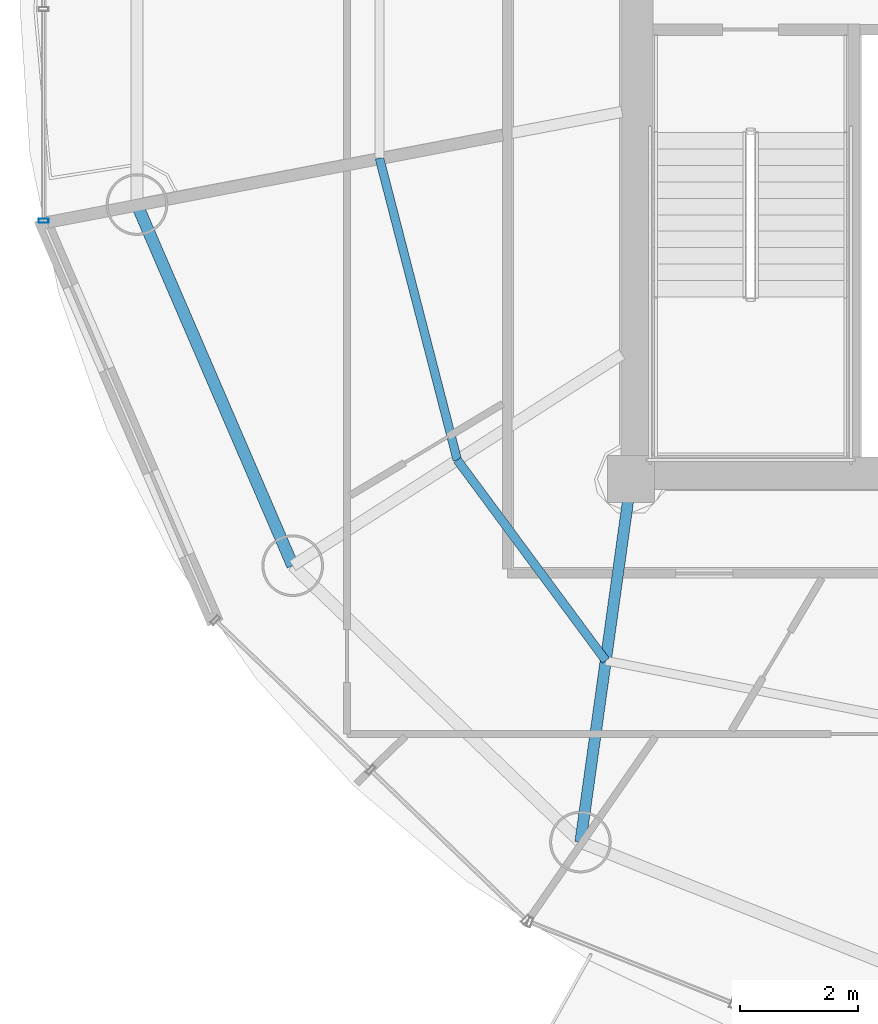
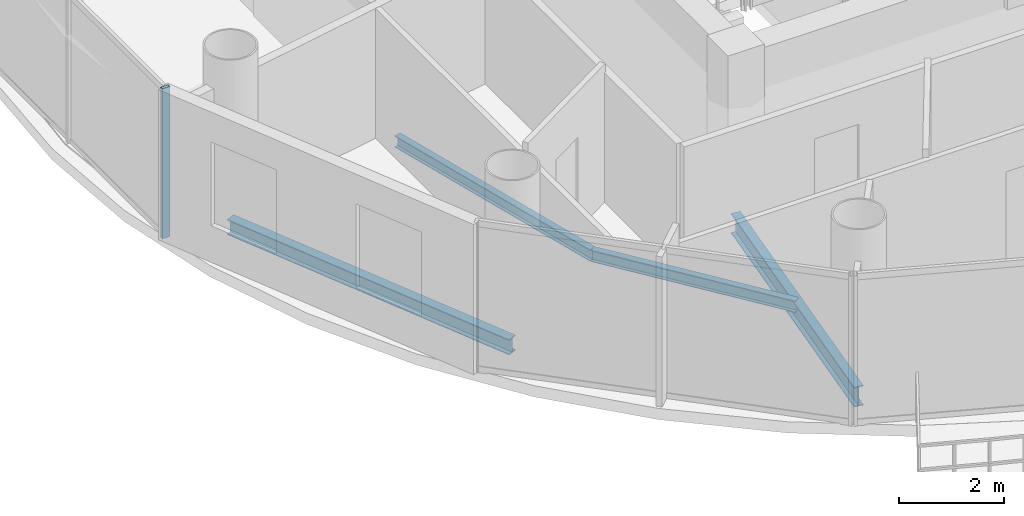
# One storey, part 4 of 23: 4 beams, 1 member, 1 element without a shape of its own.
"""IFC4 building model written with IfcOpenShell, lengths in metres."""

from ifc_helpers import new_model, si_unit, direction, frame, origin, origin_2d, place, context, subcontext, project, spatial, hollow_rectangle, i_section, extrude, source, transform, mapped, material, material_profile, profile_set, type_object, element, aggregate, save


model = new_model("IFC4")

# Units and contexts
model_context = context("Model", 3, precision=1e-05, world=origin(), true_north=direction((-0.2419218956, 0.970295726276)))
body_context = subcontext(model_context, "Body", "Model", "MODEL_VIEW")
ifc_project = project(units=[si_unit("LENGTHUNIT", "METRE"), si_unit("AREAUNIT", "SQUARE_METRE"), si_unit("VOLUMEUNIT", "CUBIC_METRE"), si_unit("PLANEANGLEUNIT", "RADIAN"), si_unit("MASSUNIT", "GRAM", prefix="KILO")], contexts=[model_context])

# Site, building, storey
site_placement = place(None, origin())
site = spatial("IfcSite", under=ifc_project, at=site_placement, CompositionType="ELEMENT")
building_placement = place(site_placement, origin())
building = spatial("IfcBuilding", under=site, at=building_placement, Name="Cobrevalo Terracotta Tower", CompositionType="ELEMENT")
storey_placement = place(building_placement, frame((0.0, 0.0, 255.699951171875)))
storey = spatial("IfcBuildingStorey", under=building, at=storey_placement, Name="L67", CompositionType="ELEMENT", Elevation=255.699951171875)

# Beams
ifc_material_1 = material(Name="Steel S355", Category="steel")
ifc_material_profile_1 = material_profile(ifc_material_1, i_section(OverallWidth=0.19091796875, OverallDepth=0.4599609375, WebThickness=0.010009765625, FlangeThickness=0.01611328125, at=origin_2d()), Name="W 460x82")
ifc_profile_set_1 = profile_set([ifc_material_profile_1], Name="Steel S355")
beam_type_1 = type_object("IfcBeamType", Name="Structural Beam W 460x82 (Steel S355)", PredefinedType="BEAM", material=ifc_profile_set_1)
beam_1_placement = place(storey_placement, frame((28.138671875, 12.62353515625, -0.489990234375), z_axis=(0.138115657759, 0.990416107039, 0.0), x_axis=(-0.990416107039, 0.138115657759, 0.0)))
element("IfcBeam", 1, at=beam_1_placement, inside=storey, type_object=beam_type_1, Name="L67 radial floor girder 11", PredefinedType="BEAM", context=body_context, shape_type="SweptSolid", body=[
    extrude(i_section(OverallWidth=0.19091796875, OverallDepth=0.4599609375, WebThickness=0.010009765625, FlangeThickness=0.01611328125, at=origin_2d()), origin(), (0.0, 0.0, 1.0), 6.236328125),
])
ifc_material_profile_2 = material_profile(ifc_material_1, i_section(OverallWidth=0.14794921875, OverallDepth=0.26611328125, WebThickness=0.007568359375, FlangeThickness=0.012939453125, at=origin_2d()), Name="W 250x44.8")
ifc_profile_set_2 = profile_set([ifc_material_profile_2], Name="Steel S355")
beam_type_2 = type_object("IfcBeamType", Name="Structural Joist W 250x44.8 (Steel S355)", PredefinedType="JOIST", material=ifc_profile_set_2)
beam_2_placement = place(storey_placement, frame((24.718017578125, 24.26220703125, -0.39306640625), z_axis=(0.249816773293, -0.968293126993, 0.0), x_axis=(0.968293126993, 0.249816773293, 0.0)))
element("IfcBeam", 2, at=beam_2_placement, inside=storey, type_object=beam_type_2, Name="L67 circumferential secondary floor joist 09", PredefinedType="JOIST", context=body_context, shape_type="SweptSolid", body=[
    extrude(i_section(OverallWidth=0.14794921875, OverallDepth=0.26611328125, WebThickness=0.007568359375, FlangeThickness=0.012939453125, at=origin_2d()), origin(), (0.0, 0.0, 1.0), 5.3046875),
])
beam_3_placement = place(storey_placement, frame((26.043212890625, 19.125732421875, -0.39306640625), z_axis=(0.594799916617, -0.803873783123, 0.0), x_axis=(0.803873783123, 0.594799916617, 0.0)))
element("IfcBeam", 3, at=beam_3_placement, inside=storey, type_object=beam_type_2, Name="L67 circumferential secondary floor joist 10", PredefinedType="JOIST", context=body_context, shape_type="SweptSolid", body=[
    extrude(i_section(OverallWidth=0.14794921875, OverallDepth=0.26611328125, WebThickness=0.007568359375, FlangeThickness=0.012939453125, at=origin_2d()), origin(), (0.0, 0.0, 1.0), 4.2470703125),
])
ifc_material_profile_3 = material_profile(ifc_material_1, i_section(OverallWidth=0.205078125, OverallDepth=0.35400390625, WebThickness=0.009521484375, FlangeThickness=0.016845703125, at=origin_2d()), Name="W 360x79")
ifc_profile_set_3 = profile_set([ifc_material_profile_3], Name="Steel S355")
beam_type_3 = type_object("IfcBeamType", Name="Structural Spandrel W 360x79 (Steel S355)", PredefinedType="SPANDREL", material=ifc_profile_set_3)
beam_4_placement = place(storey_placement, frame((20.591064453125, 23.4736328125, -0.43701171875), z_axis=(0.395987390706, -0.918255948198, 0.0), x_axis=(0.918255948198, 0.395987390706, 0.0)))
element("IfcBeam", 4, at=beam_4_placement, inside=storey, type_object=beam_type_3, Name="L67 perimeter ring spandrel 09", PredefinedType="SPANDREL", context=body_context, shape_type="SweptSolid", body=[
    extrude(i_section(OverallWidth=0.205078125, OverallDepth=0.35400390625, WebThickness=0.009521484375, FlangeThickness=0.016845703125, at=origin_2d()), origin(), (0.0, 0.0, 1.0), 6.693115234375),
])

# Curtain wall, member
ifc_material_2 = material(Name="Anodized aluminium", Category="aluminium")
curtain_wall_type = type_object("IfcCurtainWallType", Name="Upper-tower triple-glazed penthouse curtain wall CW-U3", PredefinedType="NOTDEFINED", material=ifc_material_2)
curtain_wall_placement = place(storey_placement, origin())
curtain_wall = element("IfcCurtainWall", 5, at=curtain_wall_placement, inside=storey, type_object=curtain_wall_type, Name="L67 curtain wall CW-L67-S08", PredefinedType="NOTDEFINED")
ifc_material_profile_4 = material_profile(ifc_material_2, hollow_rectangle(XDim=0.070068359375, YDim=0.169921875, WallThickness=0.00439453125, at=origin_2d()), Name="CWM 70x170")
ifc_profile_set_4 = profile_set([ifc_material_profile_4], Name="Anodized aluminium")
member_type = type_object("IfcMemberType", Name="Upper tower unitised mullion 70x170", PredefinedType="MULLION", material=ifc_profile_set_4)
shared_shape = source(origin(), body_context, "Body", "SweptSolid", [
    extrude(hollow_rectangle(XDim=0.070068359375, YDim=0.169921875, WallThickness=0.00439453125, at=origin_2d()), origin(), (0.0, 0.0, 1.0), 3.489990234375),
])
member_placement = place(storey_placement, frame((19.002197265625, 23.19775390625, 0.0), z_axis=(0.0, 0.0, 1.0), x_axis=(0.0, -1.0, 0.0)))
member = element("IfcMember", 6, at=member_placement, type_object=member_type, Name="CW-L67-S08 vertical mullion 03", PredefinedType="MULLION", context=body_context, shape_type="MappedRepresentation", body=[
    mapped(shared_shape, transform((0.0, 0.0, 0.0), scale=1.0)),
])
aggregate(curtain_wall, [member])

save(model, "model.ifc")
